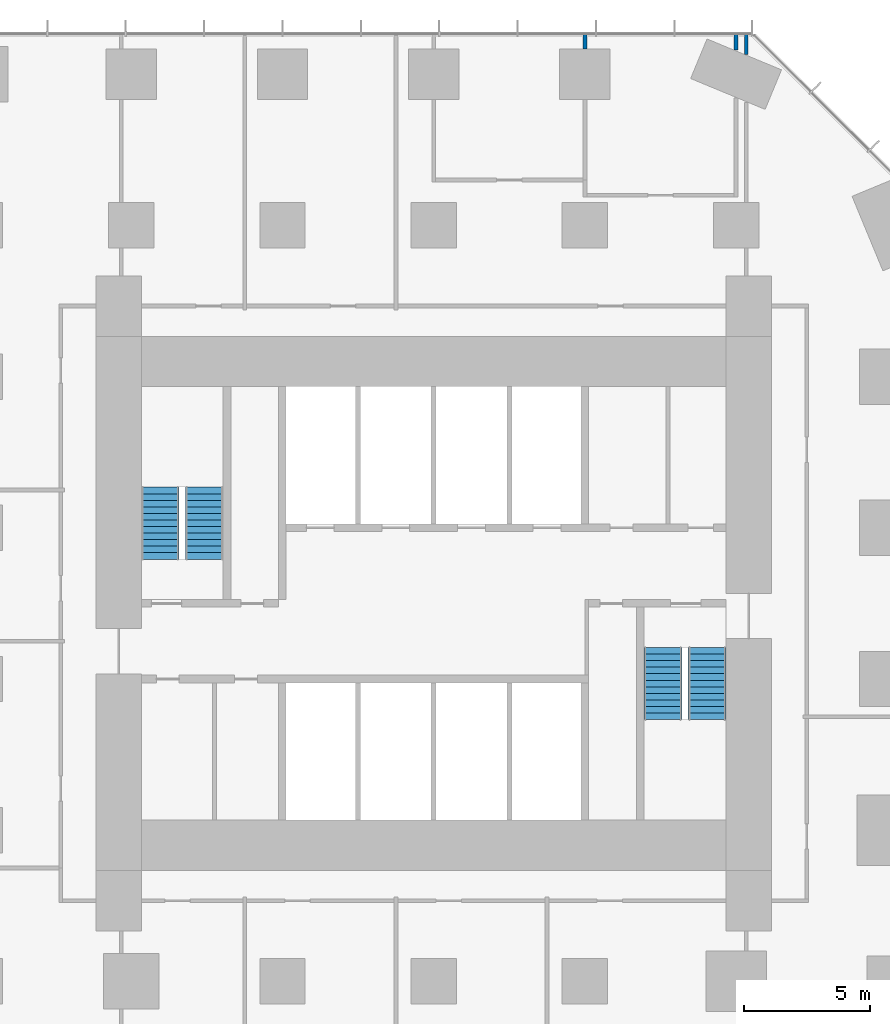
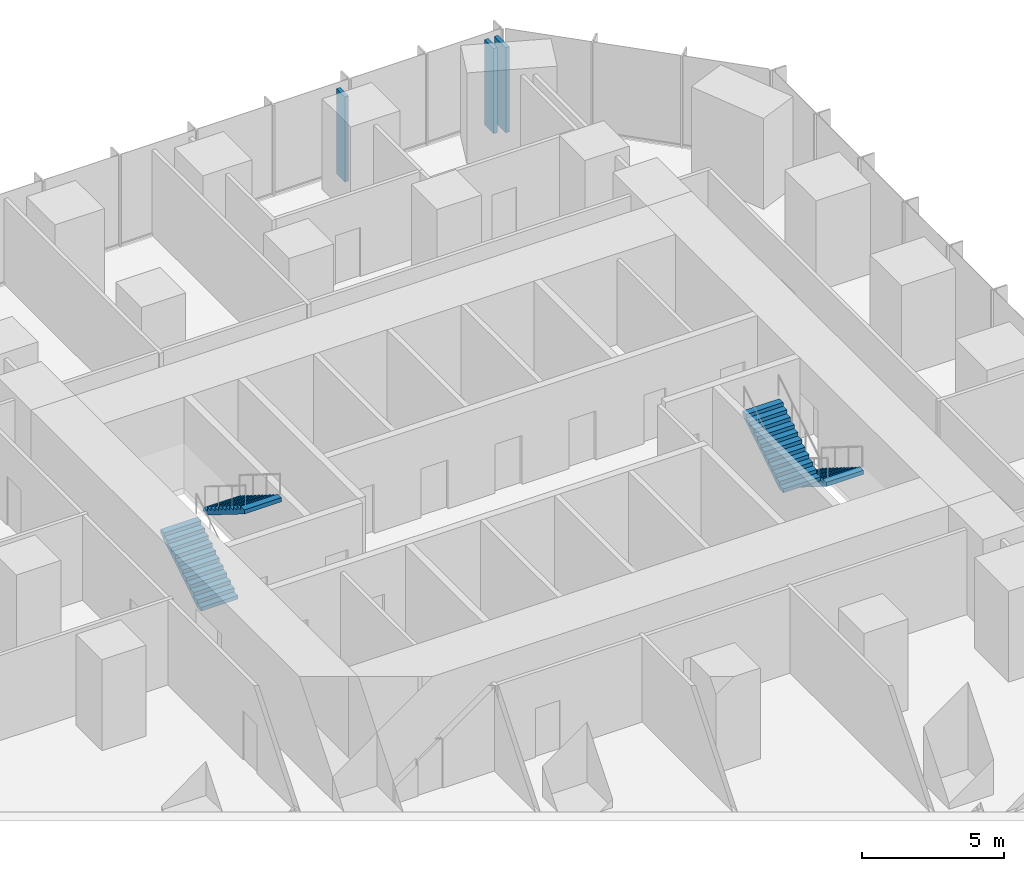
# One storey, part 11 of 12: 4 stair flights, 3 walls, 2 elements without a shape of their own.
"""IFC4 building model written with IfcOpenShell, lengths in metres."""

from ifc_helpers import new_model, si_unit, direction, frame, frame_2d, origin, place, context, subcontext, project, spatial, polyline, rectangle, outline, extrude, material, layer, layer_set, type_object, element, aggregate, save


model = new_model("IFC4")

# Units and contexts
model_context = context("Model", 3, precision=1e-05, world=origin(), true_north=direction((0.0, 1.0)))
body_context = subcontext(model_context, "Body", "Model", "MODEL_VIEW")
ifc_project = project(units=[si_unit("LENGTHUNIT", "METRE"), si_unit("AREAUNIT", "SQUARE_METRE"), si_unit("VOLUMEUNIT", "CUBIC_METRE"), si_unit("PLANEANGLEUNIT", "RADIAN"), si_unit("MASSUNIT", "GRAM", prefix="KILO")], contexts=[model_context])

# Site, building, storey
site_placement = place(None, origin())
site = spatial("IfcSite", under=ifc_project, at=site_placement, CompositionType="ELEMENT")
building_placement = place(site_placement, origin())
building = spatial("IfcBuilding", under=site, at=building_placement, Name="Highveld Stack Headquarters", CompositionType="ELEMENT")
storey_placement = place(building_placement, frame((0.0, 0.0, 26.0)))
storey = spatial("IfcBuildingStorey", under=building, at=storey_placement, Name="L05", CompositionType="ELEMENT", Elevation=26.0)

# Walls
ifc_material_1 = material(Name="Gypsum plasterboard on steel studs", Category="steel")
ifc_layer = layer(ifc_material_1, 0.14990234375)
ifc_layer_set = layer_set([ifc_layer], Name="Gypsum plasterboard on steel studs")
wall_type = type_object("IfcWallType", Name="PARTITION 150 PLASTERBOARD", PredefinedType="PARTITIONING", material=ifc_layer_set)
wall_1_placement = place(storey_placement, frame((12.0, 25.0, 0.0), z_axis=(0.0, 0.0, 1.0), x_axis=(0.0, 1.0, 0.0)))
element("IfcWall", 1, at=wall_1_placement, inside=storey, type_object=wall_type, Name="Partition Print room / Tea kitchen L05", PredefinedType="PARTITIONING", context=body_context, shape_type="SweptSolid", body=[
    extrude(rectangle(XDim=0.60009765625, YDim=0.14990234375, at=frame_2d((0.300048828125, 0.0))), origin(), (0.0, 0.0, 1.0), 3.64990234375),
])
wall_2_placement = place(storey_placement, frame((18.0, 24.951171875, 0.0), z_axis=(0.0, 0.0, 1.0), x_axis=(0.0, 1.0, 0.0)))
element("IfcWall", 2, at=wall_2_placement, inside=storey, type_object=wall_type, Name="Partition Tea kitchen L05", PredefinedType="PARTITIONING", context=body_context, shape_type="SweptSolid", body=[
    extrude(rectangle(XDim=0.64892578125, YDim=0.14990234375, at=frame_2d((0.324462890625, 0.0))), origin(), (0.0, 0.0, 1.0), 3.64990234375),
])
wall_3_placement = place(storey_placement, frame((18.39990234375, 24.785400390625, 0.0), z_axis=(0.0, 0.0, 1.0), x_axis=(0.0, 1.0, 0.0)))
element("IfcWall", 3, at=wall_3_placement, inside=storey, type_object=wall_type, Name="Partition office neighbourhood L05", PredefinedType="PARTITIONING", context=body_context, shape_type="SweptSolid", body=[
    extrude(rectangle(XDim=0.814697265625, YDim=0.14990234375, at=frame_2d((0.4072265625, 0.0))), origin(), (0.0, 0.0, 1.0), 3.64990234375),
])

# Stair, stair flights
ifc_material_2 = material(Name="Concrete C40/50, precast", Category="concrete")
stair_type_1 = type_object("IfcStairType", Name="STAIR S1 HALF TURN 1500", PredefinedType="HALF_TURN_STAIR", material=ifc_material_2)
stair_1_placement = place(storey_placement, origin())
stair_1 = element("IfcStair", 4, at=stair_1_placement, inside=storey, type_object=stair_type_1, Name="Stair S1 L05", PredefinedType="HALF_TURN_STAIR")
ifc_material_3 = material(Name="Concrete C40/50, precast", Category="concrete")
stair_flight_type = type_object("IfcStairFlightType", Name="STAIR FLIGHT 1500 PRECAST", PredefinedType="STRAIGHT", material=ifc_material_3)
stair_flight_1_placement = place(storey_placement, frame((-4.85009765625, 4.75, 0.0), z_axis=(0.0, 0.0, 1.0), x_axis=(0.0, 1.0, 0.0)))
stair_flight_1 = element("IfcStairFlight", 5, at=stair_flight_1_placement, type_object=stair_flight_type, Name="S1 flight 1", NumberOfRisers=12, NumberOfTreads=11, PredefinedType="STRAIGHT", RiserHeight=0.1625, TreadLength=0.26, context=body_context, shape_type="SweptSolid", body=[
    extrude(outline(polyline([(0.0, 0.0), (0.0, 0.16259765625), (0.260009765625, 0.16259765625), (0.260009765625, 0.324951171875), (0.52001953125, 0.324951171875), (0.52001953125, 0.487548828125), (0.780029296875, 0.487548828125), (0.780029296875, 0.64990234375), (1.0400390625, 0.64990234375), (1.0400390625, 0.8125), (1.300048828125, 0.8125), (1.300048828125, 0.97509765625), (1.56005859375, 0.97509765625), (1.56005859375, 1.137451171875), (1.820068359375, 1.137451171875), (1.820068359375, 1.300048828125), (2.080078125, 1.300048828125), (2.080078125, 1.46240234375), (2.340087890625, 1.46240234375), (2.340087890625, 1.625), (2.60009765625, 1.625), (2.60009765625, 1.78759765625), (2.860107421875, 1.78759765625), (2.860107421875, 1.949951171875), (2.860107421875, 1.61083984375), (0.28271484375, 0.0), (0.0, 0.0)])), frame((0.0, 0.75, 0.0), z_axis=(0.0, -1.0, 0.0), x_axis=(1.0, 0.0, 0.0)), (0.0, 0.0, 1.0), 1.5),
])
stair_flight_2_placement = place(storey_placement, frame((-3.10009765625, 7.610107421875, 1.949951171875), z_axis=(0.0, 0.0, 1.0), x_axis=(0.0, -1.0, 0.0)))
stair_flight_2 = element("IfcStairFlight", 6, at=stair_flight_2_placement, type_object=stair_flight_type, Name="S1 flight 2", NumberOfRisers=12, NumberOfTreads=11, PredefinedType="STRAIGHT", RiserHeight=0.1625, TreadLength=0.26, context=body_context, shape_type="SweptSolid", body=[
    extrude(outline(polyline([(0.0, 0.0), (0.0, 0.16259765625), (0.260009765625, 0.16259765625), (0.260009765625, 0.324951171875), (0.52001953125, 0.324951171875), (0.52001953125, 0.487548828125), (0.780029296875, 0.487548828125), (0.780029296875, 0.64990234375), (1.0400390625, 0.64990234375), (1.0400390625, 0.8125), (1.300048828125, 0.8125), (1.300048828125, 0.97509765625), (1.56005859375, 0.97509765625), (1.56005859375, 1.137451171875), (1.820068359375, 1.137451171875), (1.820068359375, 1.300048828125), (2.080078125, 1.300048828125), (2.080078125, 1.46240234375), (2.340087890625, 1.46240234375), (2.340087890625, 1.625), (2.60009765625, 1.625), (2.60009765625, 1.78759765625), (2.860107421875, 1.78759765625), (2.860107421875, 1.949951171875), (2.860107421875, 1.61083984375), (0.28271484375, 0.0), (0.0, 0.0)])), frame((0.0, 0.75, 0.0), z_axis=(0.0, -1.0, 0.0), x_axis=(1.0, 0.0, 0.0)), (0.0, 0.0, 1.0), 1.5),
])
aggregate(stair_1, [stair_flight_1, stair_flight_2])

ifc_material_4 = material(Name="Concrete C40/50, precast", Category="concrete")
stair_type_2 = type_object("IfcStairType", Name="STAIR S2 HALF TURN 1500", PredefinedType="HALF_TURN_STAIR", material=ifc_material_4)
stair_2_placement = place(storey_placement, origin())
stair_2 = element("IfcStair", 7, at=stair_2_placement, inside=storey, type_object=stair_type_2, Name="Stair S2 L05", PredefinedType="HALF_TURN_STAIR")
stair_flight_3_placement = place(storey_placement, frame((16.85009765625, 1.25, 0.0), z_axis=(0.0, 0.0, 1.0), x_axis=(0.0, -1.0, 0.0)))
stair_flight_3 = element("IfcStairFlight", 8, at=stair_flight_3_placement, type_object=stair_flight_type, Name="S2 flight 1", NumberOfRisers=12, NumberOfTreads=11, PredefinedType="STRAIGHT", RiserHeight=0.1625, TreadLength=0.26, context=body_context, shape_type="SweptSolid", body=[
    extrude(outline(polyline([(0.0, 0.0), (0.0, 0.16259765625), (0.260009765625, 0.16259765625), (0.260009765625, 0.324951171875), (0.52001953125, 0.324951171875), (0.52001953125, 0.487548828125), (0.780029296875, 0.487548828125), (0.780029296875, 0.64990234375), (1.0400390625, 0.64990234375), (1.0400390625, 0.8125), (1.300048828125, 0.8125), (1.300048828125, 0.97509765625), (1.56005859375, 0.97509765625), (1.56005859375, 1.137451171875), (1.820068359375, 1.137451171875), (1.820068359375, 1.300048828125), (2.080078125, 1.300048828125), (2.080078125, 1.46240234375), (2.340087890625, 1.46240234375), (2.340087890625, 1.625), (2.60009765625, 1.625), (2.60009765625, 1.78759765625), (2.860107421875, 1.78759765625), (2.860107421875, 1.949951171875), (2.860107421875, 1.61083984375), (0.28271484375, 0.0), (0.0, 0.0)])), frame((0.0, 0.75, 0.0), z_axis=(0.0, -1.0, 0.0), x_axis=(1.0, 0.0, 0.0)), (0.0, 0.0, 1.0), 1.5),
])
stair_flight_4_placement = place(storey_placement, frame((15.10009765625, -1.610107421875, 1.949951171875), z_axis=(0.0, 0.0, 1.0), x_axis=(0.0, 1.0, 0.0)))
stair_flight_4 = element("IfcStairFlight", 9, at=stair_flight_4_placement, type_object=stair_flight_type, Name="S2 flight 2", NumberOfRisers=12, NumberOfTreads=11, PredefinedType="STRAIGHT", RiserHeight=0.1625, TreadLength=0.26, context=body_context, shape_type="SweptSolid", body=[
    extrude(outline(polyline([(0.0, 0.0), (0.0, 0.16259765625), (0.260009765625, 0.16259765625), (0.260009765625, 0.324951171875), (0.52001953125, 0.324951171875), (0.52001953125, 0.487548828125), (0.780029296875, 0.487548828125), (0.780029296875, 0.64990234375), (1.0400390625, 0.64990234375), (1.0400390625, 0.8125), (1.300048828125, 0.8125), (1.300048828125, 0.97509765625), (1.56005859375, 0.97509765625), (1.56005859375, 1.137451171875), (1.820068359375, 1.137451171875), (1.820068359375, 1.300048828125), (2.080078125, 1.300048828125), (2.080078125, 1.46240234375), (2.340087890625, 1.46240234375), (2.340087890625, 1.625), (2.60009765625, 1.625), (2.60009765625, 1.78759765625), (2.860107421875, 1.78759765625), (2.860107421875, 1.949951171875), (2.860107421875, 1.61083984375), (0.28271484375, 0.0), (0.0, 0.0)])), frame((0.0, 0.75, 0.0), z_axis=(0.0, -1.0, 0.0), x_axis=(1.0, 0.0, 0.0)), (0.0, 0.0, 1.0), 1.5),
])
aggregate(stair_2, [stair_flight_3, stair_flight_4])

save(model, "model.ifc")
